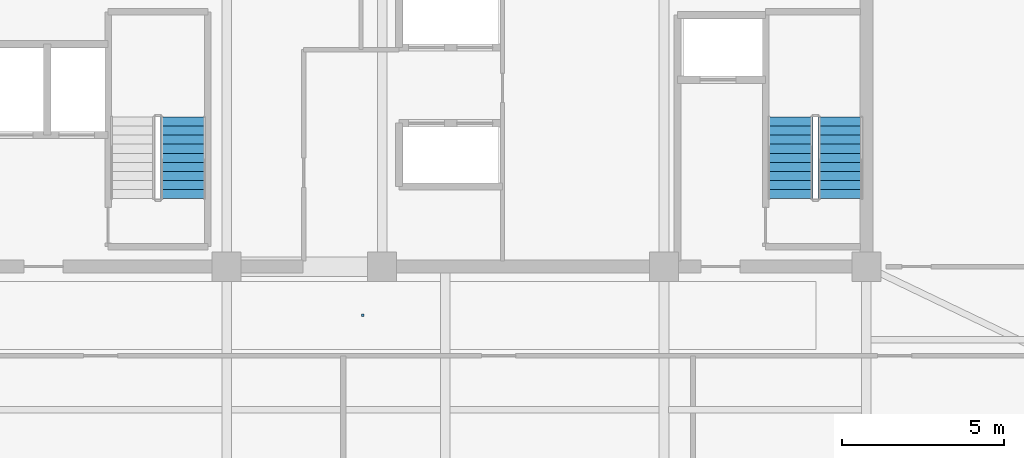
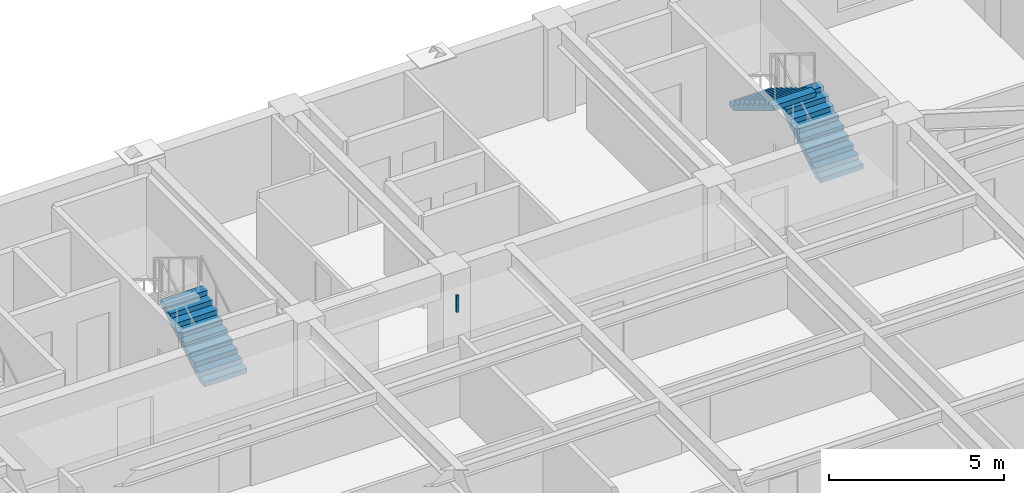
# One storey, part 9 of 13: 3 stair flights, 1 discrete accessory, 2 elements without a shape of their own.
"""IFC4 building model written with IfcOpenShell, lengths in metres."""

from ifc_helpers import new_model, si_unit, direction, frame, origin, origin_2d, place, context, subcontext, project, spatial, polyline, rectangle, outline, extrude, source, transform, mapped, material, type_object, element, aggregate, save


model = new_model("IFC4")

# Units and contexts
model_context = context("Model", 3, precision=1e-05, world=origin(), true_north=direction((0.0, 1.0)))
body_context = subcontext(model_context, "Body", "Model", "MODEL_VIEW")
ifc_project = project(units=[si_unit("LENGTHUNIT", "METRE"), si_unit("AREAUNIT", "SQUARE_METRE"), si_unit("VOLUMEUNIT", "CUBIC_METRE"), si_unit("PLANEANGLEUNIT", "RADIAN"), si_unit("MASSUNIT", "GRAM", prefix="KILO")], contexts=[model_context])

# Site, building, storey
site_placement = place(None, origin())
site = spatial("IfcSite", under=ifc_project, at=site_placement, CompositionType="ELEMENT")
building_placement = place(site_placement, origin())
building = spatial("IfcBuilding", under=site, at=building_placement, Name="Giltprow Tower", CompositionType="ELEMENT")
storey_placement = place(building_placement, frame((0.0, 0.0, 307.39990234375)))
storey = spatial("IfcBuildingStorey", under=building, at=storey_placement, Name="L79", CompositionType="ELEMENT", Elevation=307.39990234375)

# Stair, stair flight
ifc_material_1 = material(Name="Concrete C40", Category="concrete")
stair_type_1 = type_object("IfcStairType", Name="STR-ST-2", PredefinedType="HALF_TURN_STAIR", material=ifc_material_1)
stair_1_placement = place(storey_placement, origin())
stair_1 = element("IfcStair", 1, at=stair_1_placement, inside=storey, type_object=stair_type_1, Name="L79 Core Exit Stair ST-2", PredefinedType="HALF_TURN_STAIR")
stair_flight_type_1 = type_object("IfcStairFlightType", Name="SFL-ST-2", PredefinedType="STRAIGHT", material=ifc_material_1)
stair_flight_1_placement = place(storey_placement, frame((29.4599609375, 39.550048828125, 0.0), z_axis=(0.0, 0.0, 1.0), x_axis=(0.0, 1.0, 0.0)))
stair_flight_1 = element("IfcStairFlight", 2, at=stair_flight_1_placement, type_object=stair_flight_type_1, Name="ST-2 flight 1", NumberOfRisers=10, NumberOfTreads=9, PredefinedType="STRAIGHT", RiserHeight=0.17, TreadLength=0.28, context=body_context, shape_type="SweptSolid", body=[
    extrude(outline(polyline([(0.0, 0.0), (0.0, 0.169921875), (0.280029296875, 0.169921875), (0.280029296875, 0.340087890625), (0.56005859375, 0.340087890625), (0.56005859375, 0.510009765625), (0.840087890625, 0.510009765625), (0.840087890625, 0.679931640625), (1.1201171875, 0.679931640625), (1.1201171875, 0.85009765625), (1.39990234375, 0.85009765625), (1.39990234375, 1.02001953125), (1.679931640625, 1.02001953125), (1.679931640625, 1.18994140625), (1.9599609375, 1.18994140625), (1.9599609375, 1.360107421875), (2.239990234375, 1.360107421875), (2.239990234375, 1.530029296875), (2.52001953125, 1.530029296875), (2.52001953125, 1.699951171875), (2.52001953125, 1.354736328125), (0.288818359375, 0.0), (0.0, 0.0)])), frame((0.0, 0.699951171875, 0.0), z_axis=(0.0, -1.0, 0.0), x_axis=(1.0, 0.0, 0.0)), (0.0, 0.0, 1.0), 1.39990234375),
])
aggregate(stair_1, [stair_flight_1])

# Stair, stair flights
stair_type_2 = type_object("IfcStairType", Name="STR-ST-3", PredefinedType="HALF_TURN_STAIR", material=ifc_material_1)
stair_2_placement = place(storey_placement, origin())
stair_2 = element("IfcStair", 3, at=stair_2_placement, inside=storey, type_object=stair_type_2, Name="L79 Core Exit Stair ST-3", PredefinedType="HALF_TURN_STAIR")
stair_flight_type_2 = type_object("IfcStairFlightType", Name="SFL-ST-3", PredefinedType="STRAIGHT", material=ifc_material_1)
stair_flight_2_placement = place(storey_placement, frame((49.760009765625, 39.550048828125, 0.0), z_axis=(0.0, 0.0, 1.0), x_axis=(0.0, 1.0, 0.0)))
stair_flight_2 = element("IfcStairFlight", 4, at=stair_flight_2_placement, type_object=stair_flight_type_2, Name="ST-3 flight 1", NumberOfRisers=10, NumberOfTreads=9, PredefinedType="STRAIGHT", RiserHeight=0.17, TreadLength=0.28, context=body_context, shape_type="SweptSolid", body=[
    extrude(outline(polyline([(0.0, 0.0), (0.0, 0.169921875), (0.280029296875, 0.169921875), (0.280029296875, 0.340087890625), (0.56005859375, 0.340087890625), (0.56005859375, 0.510009765625), (0.840087890625, 0.510009765625), (0.840087890625, 0.679931640625), (1.1201171875, 0.679931640625), (1.1201171875, 0.85009765625), (1.39990234375, 0.85009765625), (1.39990234375, 1.02001953125), (1.679931640625, 1.02001953125), (1.679931640625, 1.18994140625), (1.9599609375, 1.18994140625), (1.9599609375, 1.360107421875), (2.239990234375, 1.360107421875), (2.239990234375, 1.530029296875), (2.52001953125, 1.530029296875), (2.52001953125, 1.699951171875), (2.52001953125, 1.354736328125), (0.288818359375, 0.0), (0.0, 0.0)])), frame((0.0, 0.699951171875, 0.0), z_axis=(0.0, -1.0, 0.0), x_axis=(1.0, 0.0, 0.0)), (0.0, 0.0, 1.0), 1.39990234375),
])
stair_flight_3_placement = place(storey_placement, frame((48.199951171875, 42.070068359375, 1.7001953125), z_axis=(0.0, 0.0, 1.0), x_axis=(0.0, -1.0, 0.0)))
stair_flight_3 = element("IfcStairFlight", 5, at=stair_flight_3_placement, type_object=stair_flight_type_2, Name="ST-3 flight 2", NumberOfRisers=10, NumberOfTreads=9, PredefinedType="STRAIGHT", RiserHeight=0.17, TreadLength=0.28, context=body_context, shape_type="SweptSolid", body=[
    extrude(outline(polyline([(0.0, 0.0), (0.0, 0.169921875), (0.280029296875, 0.169921875), (0.280029296875, 0.340087890625), (0.56005859375, 0.340087890625), (0.56005859375, 0.510009765625), (0.840087890625, 0.510009765625), (0.840087890625, 0.679931640625), (1.1201171875, 0.679931640625), (1.1201171875, 0.85009765625), (1.39990234375, 0.85009765625), (1.39990234375, 1.02001953125), (1.679931640625, 1.02001953125), (1.679931640625, 1.18994140625), (1.9599609375, 1.18994140625), (1.9599609375, 1.360107421875), (2.239990234375, 1.360107421875), (2.239990234375, 1.530029296875), (2.52001953125, 1.530029296875), (2.52001953125, 1.699951171875), (2.52001953125, 1.354736328125), (0.288818359375, 0.0), (0.0, 0.0)])), frame((0.0, 0.699951171875, 0.0), z_axis=(0.0, -1.0, 0.0), x_axis=(1.0, 0.0, 0.0)), (0.0, 0.0, 1.0), 1.39990234375),
])
aggregate(stair_2, [stair_flight_2, stair_flight_3])

# Discrete accessory
ifc_material_2 = material(Name="Structural steel Q355B", Category="steel")
discrete_accessory_type = type_object("IfcDiscreteAccessoryType", Name="ACC-CLG-HANGER", PredefinedType="BRACKET", material=ifc_material_2)
shared_shape = source(origin(), body_context, "Body", "SweptSolid", [
    extrude(rectangle(XDim=0.080078125, YDim=0.080078125, at=origin_2d()), origin(), (0.0, 0.0, 1.0), 0.5849609375),
])
discrete_accessory_placement = place(storey_placement, frame((35.0, 35.949951171875, 2.61962890625), z_axis=(0.0, 0.0, 1.0), x_axis=(1.0, 0.0, 0.0)))
element("IfcDiscreteAccessory", 6, at=discrete_accessory_placement, inside=storey, type_object=discrete_accessory_type, Name="L79 Residence Gallery Ceiling Suspension Hanger", PredefinedType="BRACKET", context=body_context, shape_type="MappedRepresentation", body=[
    mapped(shared_shape, transform((0.0, 0.0, 0.0), x_axis=(1.0, 0.0, 0.0), y_axis=(0.0, 1.0, 0.0), z_axis=(0.0, 0.0, 1.0), scale=1.0)),
])

save(model, "model.ifc")
